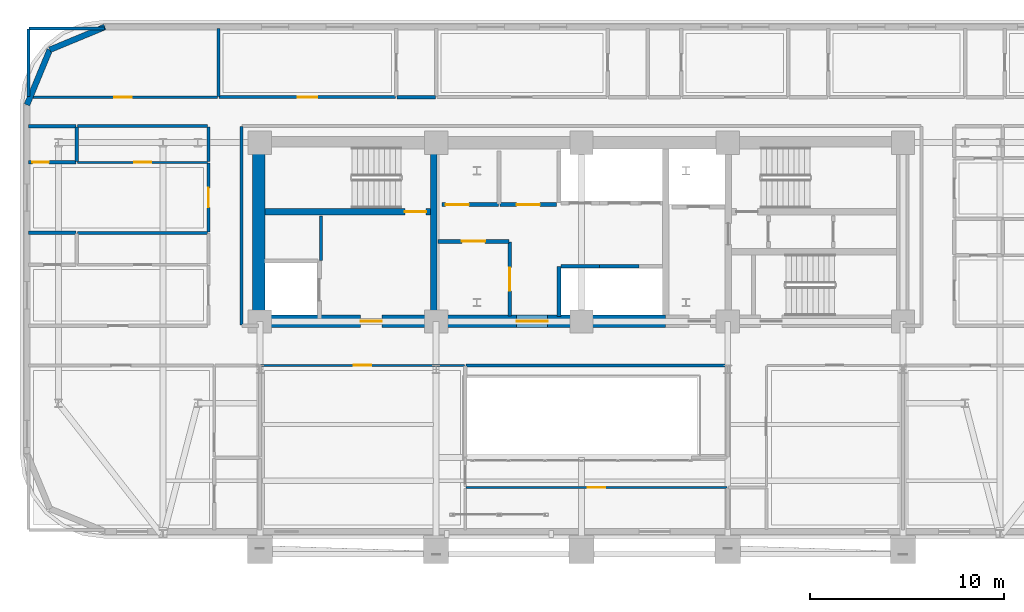
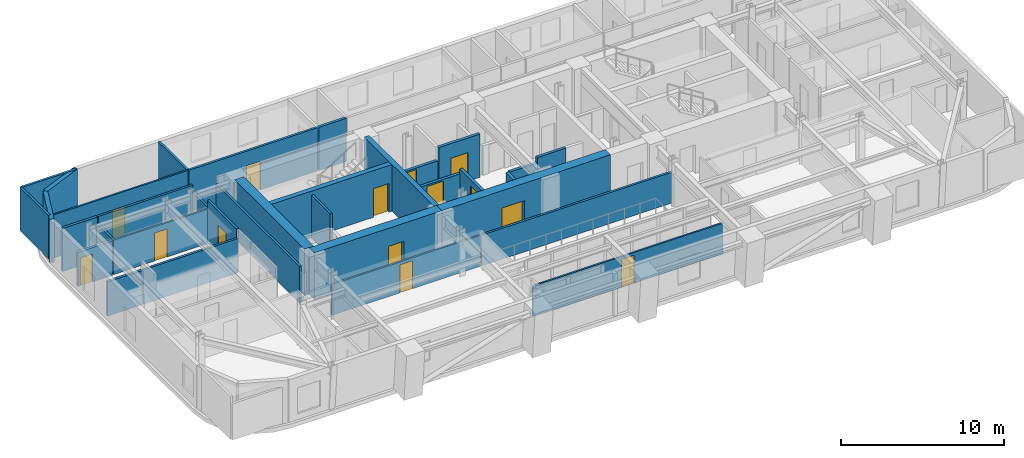
# One storey, part 9 of 15: 34 walls, 14 doors, 14 openings.
"""IFC4 building model written with IfcOpenShell, lengths in metres."""

from ifc_helpers import new_model, si_unit, direction, frame, frame_2d, origin, place, context, subcontext, project, spatial, rectangle, extrude, material, layer, layer_set, type_object, element, fill, save


model = new_model("IFC4")

# Units and contexts
model_context = context("Model", 3, precision=1e-05, world=origin(), true_north=direction((0.0, 1.0)))
body_context = subcontext(model_context, "Body", "Model", "MODEL_VIEW")
ifc_project = project(units=[si_unit("LENGTHUNIT", "METRE"), si_unit("AREAUNIT", "SQUARE_METRE"), si_unit("VOLUMEUNIT", "CUBIC_METRE"), si_unit("PLANEANGLEUNIT", "RADIAN"), si_unit("MASSUNIT", "GRAM", prefix="KILO")], contexts=[model_context])

# Site, building, storey
site_placement = place(None, origin())
site = spatial("IfcSite", under=ifc_project, at=site_placement, CompositionType="ELEMENT")
building_placement = place(site_placement, origin())
building = spatial("IfcBuilding", under=site, at=building_placement, Name="Zarnavel Station Tower", CompositionType="ELEMENT")
storey_placement = place(building_placement, frame((0.0, 0.0, 111.800048828125)))
storey = spatial("IfcBuildingStorey", under=building, at=storey_placement, Name="L30", CompositionType="ELEMENT", Elevation=111.800048828125)

# Wall
ifc_material_1 = material(Name="Concrete C50/60", Category="concrete")
ifc_layer_1 = layer(ifc_material_1, 0.35009765625)
ifc_layer_set_1 = layer_set([ifc_layer_1], Name="CW_350")
wall_type_1 = type_object("IfcWallType", Name="CW_350", PredefinedType="SHEAR", material=ifc_layer_set_1)
wall_1_placement = place(storey_placement, frame((21.179931640625, 28.14501953125, 0.0), z_axis=(0.0, 0.0, 1.0), x_axis=(0.0, 1.0, 0.0)))
element("IfcWall", 1, at=wall_1_placement, inside=storey, type_object=wall_type_1, Name="L30 Rear Core Shear Wall DIV-W", PredefinedType="SHEAR", context=body_context, shape_type="SweptSolid", body=[
    extrude(rectangle(XDim=8.580078125, YDim=0.35009765625, at=frame_2d((4.2900390625, 0.0))), origin(), (0.0, 0.0, 1.0), 3.5),
])

# Wall, opening, door
wall_2_placement = place(storey_placement, frame((21.0048828125, 33.47998046875, 0.0), z_axis=(0.0, 0.0, 1.0), x_axis=(-1.0, 0.0, 0.0)))
wall_2 = element("IfcWall", 2, at=wall_2_placement, inside=storey, type_object=wall_type_1, Name="L30 Rear Core Shear Wall DIV-H1", PredefinedType="SHEAR", context=body_context, shape_type="SweptSolid", body=[
    extrude(rectangle(XDim=8.52978515625, YDim=0.35009765625, at=frame_2d((4.264892578125, 0.0))), origin(), (0.0, 0.0, 1.0), 3.5),
])
opening_1_placement = place(wall_2_placement, frame((0.219970703125, 0.0, 0.0)))
opening_1 = element("IfcOpeningElement", 3, at=opening_1_placement, cuts=wall_2, Name="Opening FD01", PredefinedType="OPENING", context=body_context, shape_type="SweptSolid", body=[
    extrude(rectangle(XDim=1.10009765625, YDim=2.14990234375, at=frame_2d((0.550048828125, 1.074951171875))), frame((0.0, 0.18505859375, 0.0), z_axis=(0.0, -1.0, 0.0), x_axis=(1.0, 0.0, 0.0)), (0.0, 0.0, 1.0), 0.3701171875),
])
ifc_material_2 = material(Name="Painted Galvanised Steel and Hardwood Leaf", Category="steel")
door_type_1 = type_object("IfcDoorType", Name="ID_STAIR_1100", OperationType="NOTDEFINED", PredefinedType="DOOR", material=ifc_material_2)
door_1_placement = place(opening_1_placement, origin())
door_1 = element("IfcDoor", 4, at=door_1_placement, inside=storey, type_object=door_type_1, Name="L30 Stair ST1 Lobby Fire Door", OperationType="SINGLE_SWING_LEFT", OverallHeight=2.14990234375, OverallWidth=1.10009765625, PredefinedType="DOOR", context=body_context, shape_type="SweptSolid", body=[
    extrude(rectangle(XDim=1.10009765625, YDim=2.14990234375, at=frame_2d((0.550048828125, 1.074951171875))), frame((0.0, 0.02490234375, 0.0), z_axis=(0.0, -1.0, 0.0), x_axis=(1.0, 0.0, 0.0)), (0.0, 0.0, 1.0), 0.050048828125),
])
fill(opening_1, door_1)

ifc_material_3 = material(Name="Concrete C60/75", Category="concrete")
ifc_layer_2 = layer(ifc_material_3, 0.64990234375)
ifc_layer_set_2 = layer_set([ifc_layer_2], Name="CW_650")
wall_type_2 = type_object("IfcWallType", Name="CW_650", PredefinedType="SHEAR", material=ifc_layer_set_2)
wall_3_placement = place(storey_placement, frame((21.179931640625, 27.820068359375, 0.0), z_axis=(0.0, 0.0, 1.0), x_axis=(-1.0, 0.0, 0.0)))
wall_3 = element("IfcWall", 5, at=wall_3_placement, inside=storey, type_object=wall_type_2, Name="L30 Rear Core Shear Wall S-W", PredefinedType="SHEAR", context=body_context, shape_type="SweptSolid", body=[
    extrude(rectangle(XDim=9.030029296875, YDim=0.64990234375, at=frame_2d((4.51513671875, 0.0))), origin(), (0.0, 0.0, 1.0), 3.5),
])
opening_2_placement = place(wall_3_placement, frame((2.679931640625, 0.0, 0.0)))
opening_2 = element("IfcOpeningElement", 6, at=opening_2_placement, cuts=wall_3, Name="Opening FD01", PredefinedType="OPENING", context=body_context, shape_type="SweptSolid", body=[
    extrude(rectangle(XDim=1.10009765625, YDim=2.14990234375, at=frame_2d((0.550048828125, 1.074951171875))), frame((0.0, 0.3349609375, 0.0), z_axis=(0.0, -1.0, 0.0), x_axis=(1.0, 0.0, 0.0)), (0.0, 0.0, 1.0), 0.669921875),
])
door_2_placement = place(opening_2_placement, origin())
door_2 = element("IfcDoor", 7, at=door_2_placement, inside=storey, type_object=door_type_1, Name="L30 West Firefighting Lobby Door", OperationType="SINGLE_SWING_RIGHT", OverallHeight=2.14990234375, OverallWidth=1.10009765625, PredefinedType="DOOR", context=body_context, shape_type="SweptSolid", body=[
    extrude(rectangle(XDim=1.10009765625, YDim=2.14990234375, at=frame_2d((0.550048828125, 1.074951171875))), frame((0.0, 0.02490234375, 0.0), z_axis=(0.0, -1.0, 0.0), x_axis=(1.0, 0.0, 0.0)), (0.0, 0.0, 1.0), 0.050048828125),
])
fill(opening_2, door_2)

wall_4_placement = place(storey_placement, frame((33.14990234375, 27.820068359375, 0.0), z_axis=(0.0, 0.0, 1.0), x_axis=(-1.0, 0.0, 0.0)))
wall_4 = element("IfcWall", 8, at=wall_4_placement, inside=storey, type_object=wall_type_2, Name="L30 Rear Core Shear Wall S-M", PredefinedType="SHEAR", context=body_context, shape_type="SweptSolid", body=[
    extrude(rectangle(XDim=11.969970703125, YDim=0.64990234375, at=frame_2d((5.98486328125, 0.0))), origin(), (0.0, 0.0, 1.0), 3.5),
])
opening_3_placement = place(wall_4_placement, frame((6.10009765625, 0.0, 0.0)))
opening_3 = element("IfcOpeningElement", 9, at=opening_3_placement, cuts=wall_4, Name="Opening ID03", PredefinedType="OPENING", context=body_context, shape_type="SweptSolid", body=[
    extrude(rectangle(XDim=1.60009765625, YDim=2.199951171875, at=frame_2d((0.800048828125, 1.10009765625))), frame((0.0, 0.3349609375, 0.0), z_axis=(0.0, -1.0, 0.0), x_axis=(1.0, 0.0, 0.0)), (0.0, 0.0, 1.0), 0.669921875),
])
ifc_material_4 = material(Name="Painted Galvanised Steel and Hardwood Leaf", Category="steel")
door_type_2 = type_object("IfcDoorType", Name="ID_PUBLIC_1600", OperationType="DOUBLE_DOOR_SINGLE_SWING", PredefinedType="DOOR", material=ifc_material_4)
door_3_placement = place(opening_3_placement, origin())
door_3 = element("IfcDoor", 10, at=door_3_placement, inside=storey, type_object=door_type_2, Name="L30 Passenger Lift Lobby Double Door", OperationType="SINGLE_SWING_LEFT", OverallHeight=2.199951171875, OverallWidth=1.60009765625, PredefinedType="DOOR", context=body_context, shape_type="SweptSolid", body=[
    extrude(rectangle(XDim=1.60009765625, YDim=2.199951171875, at=frame_2d((0.800048828125, 1.10009765625))), frame((0.0, 0.02490234375, 0.0), z_axis=(0.0, -1.0, 0.0), x_axis=(1.0, 0.0, 0.0)), (0.0, 0.0, 1.0), 0.050048828125),
])
fill(opening_3, door_3)

# Walls
wall_5_placement = place(storey_placement, frame((12.14990234375, 28.14501953125, 0.0), z_axis=(0.0, 0.0, 1.0), x_axis=(0.0, 1.0, 0.0)))
element("IfcWall", 11, at=wall_5_placement, inside=storey, type_object=wall_type_2, Name="L30 Rear Core Shear Wall W", PredefinedType="SHEAR", context=body_context, shape_type="SweptSolid", body=[
    extrude(rectangle(XDim=8.580078125, YDim=0.64990234375, at=frame_2d((4.2900390625, 0.0))), origin(), (0.0, 0.0, 1.0), 3.5),
])
ifc_material_5 = material(Name="Precast concrete C45/55 (Dark Basalt Finish)", Category="masonry")
ifc_layer_3 = layer(ifc_material_5, 0.300048828125)
ifc_layer_set_3 = layer_set([ifc_layer_3], Name="EW_BASALT_300")
wall_type_3 = type_object("IfcWallType", Name="EW_BASALT_300", PredefinedType="SOLIDWALL", material=ifc_layer_set_3)
for number, where, z_axis, x_axis, name in (
    (12, (1.357421875, 41.842529296875, 0.0), (0.0, 0.0, 1.0), (0.923870793506, 0.382704529509, 0.0), "L30 Exterior Basalt Masonry Frame Wall 07"),
    (13, (0.179931640625, 39.0, 0.0), (0.0, 0.0, 1.0), (0.382704529509, 0.923870793506, 0.0), "L30 Exterior Basalt Masonry Frame Wall 08"),
):
    element("IfcWall", number, at=place(storey_placement, frame(where, z_axis=z_axis, x_axis=x_axis)), inside=storey, type_object=wall_type_3, Name=name, PredefinedType="SOLIDWALL", context=body_context, shape_type="SweptSolid", body=[
        extrude(rectangle(XDim=3.07666015625, YDim=0.300048828125, at=frame_2d((1.538330078125, 0.0))), origin(), (0.0, 0.0, 1.0), 3.239990234375),
    ])

# Wall, opening, door
ifc_material_6 = material(Name="Gypsum Twin-Stud Acoustic Fire Partition", Category="concrete")
ifc_layer_4 = layer(ifc_material_6, 0.159912109375)
ifc_layer_set_4 = layer_set([ifc_layer_4], Name="PT_DEMISE_160")
wall_type_4 = type_object("IfcWallType", Name="PT_DEMISE_160", PredefinedType="PARTITIONING", material=ifc_layer_set_4)
wall_6_placement = place(storey_placement, frame((9.550048828125, 32.430908203125, 0.0), z_axis=(0.0, 0.0, 1.0), x_axis=(0.0, 1.0, 0.0)))
wall_6 = element("IfcWall", 14, at=wall_6_placement, inside=storey, type_object=wall_type_4, Name="L30 Partition COR-W-FNW2R", PredefinedType="PARTITIONING", context=body_context, shape_type="SweptSolid", body=[
    extrude(rectangle(XDim=3.55615234375, YDim=0.159912109375, at=frame_2d((1.778076171875, 0.0))), origin(), (0.0, 0.0, 1.0), 3.239990234375),
])
opening_4_placement = place(wall_6_placement, frame((1.278076171875, 0.0, 0.0)))
opening_4 = element("IfcOpeningElement", 15, at=opening_4_placement, cuts=wall_6, Name="Opening FD02", PredefinedType="OPENING", context=body_context, shape_type="SweptSolid", body=[
    extrude(rectangle(XDim=1.0, YDim=2.14990234375, at=frame_2d((0.5, 1.074951171875))), frame((0.0, 0.08984375, 0.0), z_axis=(0.0, -1.0, 0.0), x_axis=(1.0, 0.0, 0.0)), (0.0, 0.0, 1.0), 0.179931640625),
])
ifc_material_7 = material(Name="Painted Galvanised Steel and Hardwood Leaf", Category="steel")
door_type_3 = type_object("IfcDoorType", Name="ID_ENTRY_1000", OperationType="NOTDEFINED", PredefinedType="DOOR", material=ifc_material_7)
door_4_placement = place(opening_4_placement, origin())
door_4 = element("IfcDoor", 16, at=door_4_placement, inside=storey, type_object=door_type_3, Name="L30 Door COR-W-FNW2R", OperationType="SINGLE_SWING_LEFT", OverallHeight=2.14990234375, OverallWidth=1.0, PredefinedType="DOOR", context=body_context, shape_type="SweptSolid", body=[
    extrude(rectangle(XDim=1.0, YDim=2.14990234375, at=frame_2d((0.5, 1.074951171875))), frame((0.0, 0.02490234375, 0.0), z_axis=(0.0, -1.0, 0.0), x_axis=(1.0, 0.0, 0.0)), (0.0, 0.0, 1.0), 0.050048828125),
])
fill(opening_4, door_4)

# Walls
wall_7_placement = place(storey_placement, frame((9.550048828125, 36.06689453125, 0.0), z_axis=(0.0, 0.0, 1.0), x_axis=(0.0, 1.0, 0.0)))
element("IfcWall", 17, at=wall_7_placement, inside=storey, type_object=wall_type_4, Name="L30 Partition COR-W-FNW2S", PredefinedType="PARTITIONING", context=body_context, shape_type="SweptSolid", body=[
    extrude(rectangle(XDim=1.793212890625, YDim=0.159912109375, at=frame_2d((0.896484375, 0.0))), origin(), (0.0, 0.0, 1.0), 2.719970703125),
])
wall_8_placement = place(storey_placement, frame((2.800048828125, 37.89990234375, 0.0), z_axis=(0.0, 0.0, 1.0), x_axis=(1.0, 0.0, 0.0)))
element("IfcWall", 18, at=wall_8_placement, inside=storey, type_object=wall_type_4, Name="L30 Partition COR-N-FNW2S", PredefinedType="PARTITIONING", context=body_context, shape_type="SweptSolid", body=[
    extrude(rectangle(XDim=6.7099609375, YDim=0.159912109375, at=frame_2d((3.35498046875, 0.0))), origin(), (0.0, 0.0, 1.0), 3.239990234375),
])

# Wall, opening, door
wall_9_placement = place(storey_placement, frame((10.10009765625, 39.39990234375, 0.0), z_axis=(0.0, 0.0, 1.0), x_axis=(1.0, 0.0, 0.0)))
wall_9 = element("IfcWall", 19, at=wall_9_placement, inside=storey, type_object=wall_type_4, Name="L30 Partition COR-N-HN1R", PredefinedType="PARTITIONING", context=body_context, shape_type="SweptSolid", body=[
    extrude(rectangle(XDim=9.10986328125, YDim=0.159912109375, at=frame_2d((4.554931640625, 0.0))), origin(), (0.0, 0.0, 1.0), 3.239990234375),
])
opening_5_placement = place(wall_9_placement, frame((4.054931640625, 0.0, 0.0)))
opening_5 = element("IfcOpeningElement", 20, at=opening_5_placement, cuts=wall_9, Name="Opening FD02", PredefinedType="OPENING", context=body_context, shape_type="SweptSolid", body=[
    extrude(rectangle(XDim=1.0, YDim=2.14990234375, at=frame_2d((0.5, 1.074951171875))), frame((0.0, 0.08984375, 0.0), z_axis=(0.0, -1.0, 0.0), x_axis=(1.0, 0.0, 0.0)), (0.0, 0.0, 1.0), 0.179931640625),
])
door_5_placement = place(opening_5_placement, origin())
door_5 = element("IfcDoor", 21, at=door_5_placement, inside=storey, type_object=door_type_3, Name="L30 Door COR-N-HN1R", OperationType="SINGLE_SWING_LEFT", OverallHeight=2.14990234375, OverallWidth=1.0, PredefinedType="DOOR", context=body_context, shape_type="SweptSolid", body=[
    extrude(rectangle(XDim=1.0, YDim=2.14990234375, at=frame_2d((0.5, 1.074951171875))), frame((0.0, 0.02490234375, 0.0), z_axis=(0.0, -1.0, 0.0), x_axis=(1.0, 0.0, 0.0)), (0.0, 0.0, 1.0), 0.050048828125),
])
fill(opening_5, door_5)

# Walls
wall_10_placement = place(storey_placement, frame((2.800048828125, 32.39111328125, 0.0), z_axis=(0.0, 0.0, 1.0), x_axis=(1.0, 0.0, 0.0)))
element("IfcWall", 22, at=wall_10_placement, inside=storey, type_object=wall_type_4, Name="L30 Partition FNW1S-FNW2R", PredefinedType="PARTITIONING", context=body_context, shape_type="SweptSolid", body=[
    extrude(rectangle(XDim=6.7099609375, YDim=0.159912109375, at=frame_2d((3.35498046875, 0.0))), origin(), (0.0, 0.0, 1.0), 2.570068359375),
])
wall_11_placement = place(storey_placement, frame((10.06005859375, 39.43994140625, 0.0), z_axis=(0.0, 0.0, 1.0), x_axis=(0.0, 1.0, 0.0)))
element("IfcWall", 23, at=wall_11_placement, inside=storey, type_object=wall_type_4, Name="L30 Partition HSKP-HN1R", PredefinedType="PARTITIONING", context=body_context, shape_type="SweptSolid", body=[
    extrude(rectangle(XDim=3.5, YDim=0.159912109375, at=frame_2d((1.75, 0.0))), origin(), (0.0, 0.0, 1.0), 3.239990234375),
])
wall_12_placement = place(storey_placement, frame((15.35009765625, 30.9599609375, 0.0), z_axis=(0.0, 0.0, 1.0), x_axis=(0.0, 1.0, 0.0)))
element("IfcWall", 24, at=wall_12_placement, inside=storey, type_object=wall_type_4, Name="L30 Enclosure Wall FFL1", PredefinedType="PARTITIONING", context=body_context, shape_type="SweptSolid", body=[
    extrude(rectangle(XDim=2.31005859375, YDim=0.159912109375, at=frame_2d((1.155029296875, 0.0))), origin(), (0.0, 0.0, 1.0), 3.239990234375),
])
wall_13_placement = place(storey_placement, frame((22.830078125, 25.550048828125, 0.0), z_axis=(0.0, 0.0, 1.0), x_axis=(1.0, 0.0, 0.0)))
element("IfcWall", 25, at=wall_13_placement, inside=storey, type_object=wall_type_4, Name="L30 Enclosure Wall COR-S", PredefinedType="PARTITIONING", context=body_context, shape_type="SweptSolid", body=[
    extrude(rectangle(XDim=13.489990234375, YDim=0.159912109375, at=frame_2d((6.7451171875, 0.0))), origin(), (0.0, 0.0, 1.0), 2.31005859375),
])
wall_14_placement = place(storey_placement, frame((11.25, 27.6298828125, 0.0), z_axis=(0.0, 0.0, 1.0), x_axis=(0.0, 1.0, 0.0)))
element("IfcWall", 26, at=wall_14_placement, inside=storey, type_object=wall_type_4, Name="L30 Enclosure Wall COR-W", PredefinedType="PARTITIONING", context=body_context, shape_type="SweptSolid", body=[
    extrude(rectangle(XDim=10.240234375, YDim=0.159912109375, at=frame_2d((5.1201171875, 0.0))), origin(), (0.0, 0.0, 1.0), 2.719970703125),
])
wall_15_placement = place(storey_placement, frame((0.2900390625, 42.93994140625, 0.0), z_axis=(0.0, 0.0, 1.0), x_axis=(1.0, 0.0, 0.0)))
element("IfcWall", 27, at=wall_15_placement, inside=storey, type_object=wall_type_4, Name="L30 Enclosure Wall HSKP", PredefinedType="PARTITIONING", context=body_context, shape_type="SweptSolid", body=[
    extrude(rectangle(XDim=3.8798828125, YDim=0.159912109375, at=frame_2d((1.93994140625, 0.0))), origin(), (0.0, 0.0, 1.0), 3.239990234375),
])
wall_16_placement = place(storey_placement, frame((0.260009765625, 39.429931640625, 0.0), z_axis=(0.0, 0.0, 1.0), x_axis=(0.0, 1.0, 0.0)))
element("IfcWall", 28, at=wall_16_placement, inside=storey, type_object=wall_type_4, Name="L30 Enclosure Wall HSKP", PredefinedType="PARTITIONING", context=body_context, shape_type="SweptSolid", body=[
    extrude(rectangle(XDim=3.47998046875, YDim=0.159912109375, at=frame_2d((1.739990234375, 0.0))), origin(), (0.0, 0.0, 1.0), 3.239990234375),
])

# Wall, opening, door
ifc_material_8 = material(Name="Gypsum Metal-Stud Interior Partition", Category="concrete")
ifc_layer_5 = layer(ifc_material_8, 0.1201171875)
ifc_layer_set_5 = layer_set([ifc_layer_5], Name="PT_ROOM_120")
wall_type_5 = type_object("IfcWallType", Name="PT_ROOM_120", PredefinedType="PARTITIONING", material=ifc_layer_set_5)
wall_17_placement = place(storey_placement, frame((12.239990234375, 25.550048828125, 0.0), z_axis=(0.0, 0.0, 1.0), x_axis=(1.0, 0.0, 0.0)))
wall_17 = element("IfcWall", 29, at=wall_17_placement, inside=storey, type_object=wall_type_5, Name="L30 Partition COR-S-L29STD", PredefinedType="PARTITIONING", context=body_context, shape_type="SweptSolid", body=[
    extrude(rectangle(XDim=10.52001953125, YDim=0.1201171875, at=frame_2d((5.260009765625, 0.0))), origin(), (0.0, 0.0, 1.0), 2.31005859375),
])
opening_6_placement = place(wall_17_placement, frame((4.81005859375, 0.0, 0.0)))
opening_6 = element("IfcOpeningElement", 30, at=opening_6_placement, cuts=wall_17, Name="Opening ID01", PredefinedType="OPENING", context=body_context, shape_type="SweptSolid", body=[
    extrude(rectangle(XDim=0.89990234375, YDim=2.10009765625, at=frame_2d((0.449951171875, 1.050048828125))), frame((0.0, 0.070068359375, 0.0), z_axis=(0.0, -1.0, 0.0), x_axis=(1.0, 0.0, 0.0)), (0.0, 0.0, 1.0), 0.14013671875),
])
ifc_material_9 = material(Name="Painted Galvanised Steel and Hardwood Leaf", Category="steel")
door_type_4 = type_object("IfcDoorType", Name="ID_ROOM_900", OperationType="NOTDEFINED", PredefinedType="DOOR", material=ifc_material_9)
door_6_placement = place(opening_6_placement, origin())
door_6 = element("IfcDoor", 31, at=door_6_placement, inside=storey, type_object=door_type_4, Name="L30 Door COR-S-L29STD", OperationType="SINGLE_SWING_RIGHT", OverallHeight=2.10009765625, OverallWidth=0.89990234375, PredefinedType="DOOR", context=body_context, shape_type="SweptSolid", body=[
    extrude(rectangle(XDim=0.89990234375, YDim=2.10009765625, at=frame_2d((0.449951171875, 1.050048828125))), frame((0.0, 0.02490234375, 0.0), z_axis=(0.0, -1.0, 0.0), x_axis=(1.0, 0.0, 0.0)), (0.0, 0.0, 1.0), 0.050048828125),
])
fill(opening_6, door_6)

wall_18_placement = place(storey_placement, frame((0.260009765625, 39.39990234375, 0.0), z_axis=(0.0, 0.0, 1.0), x_axis=(1.0, 0.0, 0.0)))
wall_18 = element("IfcWall", 32, at=wall_18_placement, inside=storey, type_object=wall_type_5, Name="L30 Partition COR-N-HSKP", PredefinedType="PARTITIONING", context=body_context, shape_type="SweptSolid", body=[
    extrude(rectangle(XDim=9.760009765625, YDim=0.1201171875, at=frame_2d((4.8798828125, 0.0))), origin(), (0.0, 0.0, 1.0), 3.239990234375),
])
opening_7_placement = place(wall_18_placement, frame((4.429931640625, 0.0, 0.0)))
opening_7 = element("IfcOpeningElement", 33, at=opening_7_placement, cuts=wall_18, Name="Opening ID01", PredefinedType="OPENING", context=body_context, shape_type="SweptSolid", body=[
    extrude(rectangle(XDim=0.89990234375, YDim=2.10009765625, at=frame_2d((0.449951171875, 1.050048828125))), frame((0.0, 0.070068359375, 0.0), z_axis=(0.0, -1.0, 0.0), x_axis=(1.0, 0.0, 0.0)), (0.0, 0.0, 1.0), 0.14013671875),
])
door_7_placement = place(opening_7_placement, origin())
door_7 = element("IfcDoor", 34, at=door_7_placement, inside=storey, type_object=door_type_4, Name="L30 Door COR-N-HSKP", OperationType="SINGLE_SWING_RIGHT", OverallHeight=2.10009765625, OverallWidth=0.89990234375, PredefinedType="DOOR", context=body_context, shape_type="SweptSolid", body=[
    extrude(rectangle(XDim=0.89990234375, YDim=2.10009765625, at=frame_2d((0.449951171875, 1.050048828125))), frame((0.0, 0.02490234375, 0.0), z_axis=(0.0, -1.0, 0.0), x_axis=(1.0, 0.0, 0.0)), (0.0, 0.0, 1.0), 0.050048828125),
])
fill(opening_7, door_7)

wall_19_placement = place(storey_placement, frame((22.840087890625, 19.25, 0.0), z_axis=(0.0, 0.0, 1.0), x_axis=(1.0, 0.0, 0.0)))
wall_19 = element("IfcWall", 35, at=wall_19_placement, inside=storey, type_object=wall_type_5, Name="L30 Partition COR-AS-L29GYM", PredefinedType="PARTITIONING", context=body_context, shape_type="SweptSolid", body=[
    extrude(rectangle(XDim=13.469970703125, YDim=0.1201171875, at=frame_2d((6.73486328125, 0.0))), origin(), (0.0, 0.0, 1.0), 2.31005859375),
])
opening_8_placement = place(wall_19_placement, frame((6.284912109375, 0.0, 0.0)))
opening_8 = element("IfcOpeningElement", 36, at=opening_8_placement, cuts=wall_19, Name="Opening ID01", PredefinedType="OPENING", context=body_context, shape_type="SweptSolid", body=[
    extrude(rectangle(XDim=0.89990234375, YDim=2.10009765625, at=frame_2d((0.449951171875, 1.050048828125))), frame((0.0, 0.070068359375, 0.0), z_axis=(0.0, -1.0, 0.0), x_axis=(1.0, 0.0, 0.0)), (0.0, 0.0, 1.0), 0.14013671875),
])
door_8_placement = place(opening_8_placement, origin())
door_8 = element("IfcDoor", 37, at=door_8_placement, inside=storey, type_object=door_type_4, Name="L30 Door COR-AS-L29GYM", OperationType="SINGLE_SWING_RIGHT", OverallHeight=2.10009765625, OverallWidth=0.89990234375, PredefinedType="DOOR", context=body_context, shape_type="SweptSolid", body=[
    extrude(rectangle(XDim=0.89990234375, YDim=2.10009765625, at=frame_2d((0.449951171875, 1.050048828125))), frame((0.0, 0.02490234375, 0.0), z_axis=(0.0, -1.0, 0.0), x_axis=(1.0, 0.0, 0.0)), (0.0, 0.0, 1.0), 0.050048828125),
])
fill(opening_8, door_8)

wall_20_placement = place(storey_placement, frame((2.800048828125, 36.027099609375, 0.0), z_axis=(0.0, 0.0, 1.0), x_axis=(1.0, 0.0, 0.0)))
wall_20 = element("IfcWall", 38, at=wall_20_placement, inside=storey, type_object=wall_type_5, Name="L30 Partition FNW2R-FNW2S", PredefinedType="PARTITIONING", context=body_context, shape_type="SweptSolid", body=[
    extrude(rectangle(XDim=6.7099609375, YDim=0.1201171875, at=frame_2d((3.35498046875, 0.0))), origin(), (0.0, 0.0, 1.0), 2.570068359375),
])
opening_9_placement = place(wall_20_placement, frame((2.905029296875, 0.0, 0.0)))
opening_9 = element("IfcOpeningElement", 39, at=opening_9_placement, cuts=wall_20, Name="Opening ID01", PredefinedType="OPENING", context=body_context, shape_type="SweptSolid", body=[
    extrude(rectangle(XDim=0.89990234375, YDim=2.10009765625, at=frame_2d((0.449951171875, 1.050048828125))), frame((0.0, 0.070068359375, 0.0), z_axis=(0.0, -1.0, 0.0), x_axis=(1.0, 0.0, 0.0)), (0.0, 0.0, 1.0), 0.14013671875),
])
door_9_placement = place(opening_9_placement, origin())
door_9 = element("IfcDoor", 40, at=door_9_placement, inside=storey, type_object=door_type_4, Name="L30 Door FNW2R-FNW2S", OperationType="SINGLE_SWING_RIGHT", OverallHeight=2.10009765625, OverallWidth=0.89990234375, PredefinedType="DOOR", context=body_context, shape_type="SweptSolid", body=[
    extrude(rectangle(XDim=0.89990234375, YDim=2.10009765625, at=frame_2d((0.449951171875, 1.050048828125))), frame((0.0, 0.02490234375, 0.0), z_axis=(0.0, -1.0, 0.0), x_axis=(1.0, 0.0, 0.0)), (0.0, 0.0, 1.0), 0.050048828125),
])
fill(opening_9, door_9)

# Walls
ifc_material_10 = material(Name="Precast concrete C45/55 (Fire Shaft Blockwork)", Category="masonry")
ifc_layer_6 = layer(ifc_material_10, 0.199951171875)
ifc_layer_set_6 = layer_set([ifc_layer_6], Name="PT_SHAFT_200")
wall_type_6 = type_object("IfcWallType", Name="PT_SHAFT_200", PredefinedType="PARTITIONING", material=ifc_layer_set_6)
wall_21_placement = place(storey_placement, frame((27.75, 30.669921875, 0.0), z_axis=(0.0, 0.0, 1.0), x_axis=(1.0, 0.0, 0.0)))
element("IfcWall", 41, at=wall_21_placement, inside=storey, type_object=wall_type_6, Name="L30 Lift PL-H1 Shaft Front Wall", PredefinedType="PARTITIONING", context=body_context, shape_type="SweptSolid", body=[
    extrude(rectangle(XDim=1.97509765625, YDim=0.199951171875, at=frame_2d((0.987548828125, 0.0))), origin(), (0.0, 0.0, 1.0), 2.2119140625),
])
wall_22_placement = place(storey_placement, frame((27.64990234375, 28.070068359375, 0.0), z_axis=(0.0, 0.0, 1.0), x_axis=(0.0, 1.0, 0.0)))
element("IfcWall", 42, at=wall_22_placement, inside=storey, type_object=wall_type_6, Name="L30 High-Rise Lift Bank West Shaft Wall", PredefinedType="PARTITIONING", context=body_context, shape_type="SweptSolid", body=[
    extrude(rectangle(XDim=2.579833984375, YDim=0.199951171875, at=frame_2d((1.2900390625, 0.0))), origin(), (0.0, 0.0, 1.0), 2.2119140625),
])
wall_23_placement = place(storey_placement, frame((29.72509765625, 30.669921875, 0.0), z_axis=(0.0, 0.0, 1.0), x_axis=(1.0, 0.0, 0.0)))
element("IfcWall", 43, at=wall_23_placement, inside=storey, type_object=wall_type_6, Name="L30 Lift PL-H2 Shaft Front Wall", PredefinedType="PARTITIONING", context=body_context, shape_type="SweptSolid", body=[
    extrude(rectangle(XDim=2.0498046875, YDim=0.199951171875, at=frame_2d((1.02490234375, 0.0))), origin(), (0.0, 0.0, 1.0), 2.619873046875),
])

# Wall, opening, door
wall_24_placement = place(storey_placement, frame((21.39990234375, 31.949951171875, 0.0), z_axis=(0.0, 0.0, 1.0), x_axis=(1.0, 0.0, 0.0)))
wall_24 = element("IfcWall", 44, at=wall_24_placement, inside=storey, type_object=wall_type_6, Name="L30 Partition LLOB-CS1", PredefinedType="PARTITIONING", context=body_context, shape_type="SweptSolid", body=[
    extrude(rectangle(XDim=3.66015625, YDim=0.199951171875, at=frame_2d((1.830078125, 0.0))), origin(), (0.0, 0.0, 1.0), 2.280029296875),
])
opening_10_placement = place(wall_24_placement, frame((1.22998046875, 0.0, 0.0)))
opening_10 = element("IfcOpeningElement", 45, at=opening_10_placement, cuts=wall_24, Name="Opening FD03", PredefinedType="OPENING", context=body_context, shape_type="SweptSolid", body=[
    extrude(rectangle(XDim=1.199951171875, YDim=2.14990234375, at=frame_2d((0.60009765625, 1.074951171875))), frame((0.0, 0.10986328125, 0.0), z_axis=(0.0, -1.0, 0.0), x_axis=(1.0, 0.0, 0.0)), (0.0, 0.0, 1.0), 0.219970703125),
])
ifc_material_11 = material(Name="Painted Galvanised Steel and Hardwood Leaf", Category="steel")
door_type_5 = type_object("IfcDoorType", Name="ID_PLANT_1200", OperationType="NOTDEFINED", PredefinedType="DOOR", material=ifc_material_11)
door_10_placement = place(opening_10_placement, origin())
door_10 = element("IfcDoor", 46, at=door_10_placement, inside=storey, type_object=door_type_5, Name="L30 Door LLOB-CS1", OperationType="SINGLE_SWING_LEFT", OverallHeight=2.14990234375, OverallWidth=1.199951171875, PredefinedType="DOOR", context=body_context, shape_type="SweptSolid", body=[
    extrude(rectangle(XDim=1.199951171875, YDim=2.14990234375, at=frame_2d((0.60009765625, 1.074951171875))), frame((0.0, 0.02490234375, 0.0), z_axis=(0.0, -1.0, 0.0), x_axis=(1.0, 0.0, 0.0)), (0.0, 0.0, 1.0), 0.050048828125),
])
fill(opening_10, door_10)

wall_25_placement = place(storey_placement, frame((21.590087890625, 33.85009765625, 0.0), z_axis=(0.0, 0.0, 1.0), x_axis=(1.0, 0.0, 0.0)))
wall_25 = element("IfcWall", 47, at=wall_25_placement, inside=storey, type_object=wall_type_6, Name="L30 Partition LLOB-FB1A", PredefinedType="PARTITIONING", context=body_context, shape_type="SweptSolid", body=[
    extrude(rectangle(XDim=2.919921875, YDim=0.199951171875, at=frame_2d((1.4599609375, 0.0))), origin(), (0.0, 0.0, 1.0), 2.280029296875),
])
opening_11_placement = place(wall_25_placement, frame((0.199951171875, 0.0, 0.0)))
opening_11 = element("IfcOpeningElement", 48, at=opening_11_placement, cuts=wall_25, Name="Opening FD03", PredefinedType="OPENING", context=body_context, shape_type="SweptSolid", body=[
    extrude(rectangle(XDim=1.199951171875, YDim=2.14990234375, at=frame_2d((0.60009765625, 1.074951171875))), frame((0.0, 0.10986328125, 0.0), z_axis=(0.0, -1.0, 0.0), x_axis=(1.0, 0.0, 0.0)), (0.0, 0.0, 1.0), 0.219970703125),
])
door_11_placement = place(opening_11_placement, origin())
door_11 = element("IfcDoor", 49, at=door_11_placement, inside=storey, type_object=door_type_5, Name="L30 Door LLOB-FB1A", OperationType="SINGLE_SWING_LEFT", OverallHeight=2.14990234375, OverallWidth=1.199951171875, PredefinedType="DOOR", context=body_context, shape_type="SweptSolid", body=[
    extrude(rectangle(XDim=1.199951171875, YDim=2.14990234375, at=frame_2d((0.60009765625, 1.074951171875))), frame((0.0, 0.02490234375, 0.0), z_axis=(0.0, -1.0, 0.0), x_axis=(1.0, 0.0, 0.0)), (0.0, 0.0, 1.0), 0.050048828125),
])
fill(opening_11, door_11)

wall_26_placement = place(storey_placement, frame((24.590087890625, 33.85009765625, 0.0), z_axis=(0.0, 0.0, 1.0), x_axis=(1.0, 0.0, 0.0)))
wall_26 = element("IfcWall", 50, at=wall_26_placement, inside=storey, type_object=wall_type_6, Name="L30 Partition LLOB-FB1B", PredefinedType="PARTITIONING", context=body_context, shape_type="SweptSolid", body=[
    extrude(rectangle(XDim=2.919921875, YDim=0.199951171875, at=frame_2d((1.4599609375, 0.0))), origin(), (0.0, 0.0, 1.0), 3.239990234375),
])
opening_12_placement = place(wall_26_placement, frame((0.860107421875, 0.0, 0.0)))
opening_12 = element("IfcOpeningElement", 51, at=opening_12_placement, cuts=wall_26, Name="Opening FD03", PredefinedType="OPENING", context=body_context, shape_type="SweptSolid", body=[
    extrude(rectangle(XDim=1.199951171875, YDim=2.14990234375, at=frame_2d((0.60009765625, 1.074951171875))), frame((0.0, 0.10986328125, 0.0), z_axis=(0.0, -1.0, 0.0), x_axis=(1.0, 0.0, 0.0)), (0.0, 0.0, 1.0), 0.219970703125),
])
door_12_placement = place(opening_12_placement, origin())
door_12 = element("IfcDoor", 52, at=door_12_placement, inside=storey, type_object=door_type_5, Name="L30 Door LLOB-FB1B", OperationType="SINGLE_SWING_LEFT", OverallHeight=2.14990234375, OverallWidth=1.199951171875, PredefinedType="DOOR", context=body_context, shape_type="SweptSolid", body=[
    extrude(rectangle(XDim=1.199951171875, YDim=2.14990234375, at=frame_2d((0.60009765625, 1.074951171875))), frame((0.0, 0.02490234375, 0.0), z_axis=(0.0, -1.0, 0.0), x_axis=(1.0, 0.0, 0.0)), (0.0, 0.0, 1.0), 0.050048828125),
])
fill(opening_12, door_12)

wall_27_placement = place(storey_placement, frame((25.10009765625, 28.090087890625, 0.0), z_axis=(0.0, 0.0, 1.0), x_axis=(0.0, 1.0, 0.0)))
wall_27 = element("IfcWall", 53, at=wall_27_placement, inside=storey, type_object=wall_type_6, Name="L30 Partition LLOBS-CS1", PredefinedType="PARTITIONING", context=body_context, shape_type="SweptSolid", body=[
    extrude(rectangle(XDim=3.81982421875, YDim=0.199951171875, at=frame_2d((1.909912109375, 0.0))), origin(), (0.0, 0.0, 1.0), 2.619873046875),
])
opening_13_placement = place(wall_27_placement, frame((1.31005859375, 0.0, 0.0)))
opening_13 = element("IfcOpeningElement", 54, at=opening_13_placement, cuts=wall_27, Name="Opening FD03", PredefinedType="OPENING", context=body_context, shape_type="SweptSolid", body=[
    extrude(rectangle(XDim=1.199951171875, YDim=2.14990234375, at=frame_2d((0.60009765625, 1.074951171875))), frame((0.0, 0.10986328125, 0.0), z_axis=(0.0, -1.0, 0.0), x_axis=(1.0, 0.0, 0.0)), (0.0, 0.0, 1.0), 0.219970703125),
])
door_13_placement = place(opening_13_placement, origin())
door_13 = element("IfcDoor", 55, at=door_13_placement, inside=storey, type_object=door_type_5, Name="L30 Door LLOBS-CS1", OperationType="SINGLE_SWING_RIGHT", OverallHeight=2.14990234375, OverallWidth=1.199951171875, PredefinedType="DOOR", context=body_context, shape_type="SweptSolid", body=[
    extrude(rectangle(XDim=1.199951171875, YDim=2.14990234375, at=frame_2d((0.60009765625, 1.074951171875))), frame((0.0, 0.02490234375, 0.0), z_axis=(0.0, -1.0, 0.0), x_axis=(1.0, 0.0, 0.0)), (0.0, 0.0, 1.0), 0.050048828125),
])
fill(opening_13, door_13)

# Walls
ifc_material_12 = material(Name="Moisture-Resistant Plumbing Chase Wall", Category="concrete")
ifc_layer_7 = layer(ifc_material_12, 0.179931640625)
ifc_layer_set_7 = layer_set([ifc_layer_7], Name="PW_PLUMB_180")
wall_type_7 = type_object("IfcWallType", Name="PW_PLUMB_180", PredefinedType="PLUMBINGWALL", material=ifc_layer_set_7)
wall_28_placement = place(storey_placement, frame((0.260009765625, 37.89990234375, 0.0), z_axis=(0.0, 0.0, 1.0), x_axis=(1.0, 0.0, 0.0)))
element("IfcWall", 56, at=wall_28_placement, inside=storey, type_object=wall_type_7, Name="L30 Partition COR-N-FNW2B", PredefinedType="PLUMBINGWALL", context=body_context, shape_type="SweptSolid", body=[
    extrude(rectangle(XDim=2.4599609375, YDim=0.179931640625, at=frame_2d((1.22998046875, 0.0))), origin(), (0.0, 0.0, 1.0), 3.239990234375),
])
wall_29_placement = place(storey_placement, frame((19.2900390625, 39.39990234375, 0.0), z_axis=(0.0, 0.0, 1.0), x_axis=(1.0, 0.0, 0.0)))
element("IfcWall", 57, at=wall_29_placement, inside=storey, type_object=wall_type_7, Name="L30 Partition COR-N-HN1B", PredefinedType="PLUMBINGWALL", context=body_context, shape_type="SweptSolid", body=[
    extrude(rectangle(XDim=1.969970703125, YDim=0.179931640625, at=frame_2d((0.98486328125, 0.0))), origin(), (0.0, 0.0, 1.0), 3.239990234375),
])
wall_30_placement = place(storey_placement, frame((0.260009765625, 32.39111328125, 0.0), z_axis=(0.0, 0.0, 1.0), x_axis=(1.0, 0.0, 0.0)))
element("IfcWall", 58, at=wall_30_placement, inside=storey, type_object=wall_type_7, Name="L30 Partition FNW1B-FNW2R", PredefinedType="PLUMBINGWALL", context=body_context, shape_type="SweptSolid", body=[
    extrude(rectangle(XDim=2.4599609375, YDim=0.179931640625, at=frame_2d((1.22998046875, 0.0))), origin(), (0.0, 0.0, 1.0), 2.570068359375),
])

# Wall, opening, door
wall_31_placement = place(storey_placement, frame((0.260009765625, 36.027099609375, 0.0), z_axis=(0.0, 0.0, 1.0), x_axis=(1.0, 0.0, 0.0)))
wall_31 = element("IfcWall", 59, at=wall_31_placement, inside=storey, type_object=wall_type_7, Name="L30 Partition FNW2R-FNW2B", PredefinedType="PLUMBINGWALL", context=body_context, shape_type="SweptSolid", body=[
    extrude(rectangle(XDim=2.4599609375, YDim=0.179931640625, at=frame_2d((1.22998046875, 0.0))), origin(), (0.0, 0.0, 1.0), 2.570068359375),
])
opening_14_placement = place(wall_31_placement, frame((0.1953125, 0.0, 0.0)))
opening_14 = element("IfcOpeningElement", 60, at=opening_14_placement, cuts=wall_31, Name="Opening ID02", PredefinedType="OPENING", context=body_context, shape_type="SweptSolid", body=[
    extrude(rectangle(XDim=0.85009765625, YDim=2.10009765625, at=frame_2d((0.425048828125, 1.050048828125))), frame((0.0, 0.099853515625, 0.0), z_axis=(0.0, -1.0, 0.0), x_axis=(1.0, 0.0, 0.0)), (0.0, 0.0, 1.0), 0.199951171875),
])
ifc_material_13 = material(Name="Painted Galvanised Steel and Hardwood Leaf", Category="steel")
door_type_6 = type_object("IfcDoorType", Name="ID_BATH_850", OperationType="NOTDEFINED", PredefinedType="DOOR", material=ifc_material_13)
door_14_placement = place(opening_14_placement, origin())
door_14 = element("IfcDoor", 61, at=door_14_placement, inside=storey, type_object=door_type_6, Name="L30 Door FNW2R-FNW2B", OperationType="SINGLE_SWING_LEFT", OverallHeight=2.10009765625, OverallWidth=0.85009765625, PredefinedType="DOOR", context=body_context, shape_type="SweptSolid", body=[
    extrude(rectangle(XDim=0.85009765625, YDim=2.10009765625, at=frame_2d((0.425048828125, 1.050048828125))), frame((0.0, 0.02490234375, 0.0), z_axis=(0.0, -1.0, 0.0), x_axis=(1.0, 0.0, 0.0)), (0.0, 0.0, 1.0), 0.050048828125),
])
fill(opening_14, door_14)

# Wall
wall_32_placement = place(storey_placement, frame((2.760009765625, 36.06689453125, 0.0), z_axis=(0.0, 0.0, 1.0), x_axis=(0.0, 1.0, 0.0)))
element("IfcWall", 62, at=wall_32_placement, inside=storey, type_object=wall_type_7, Name="L30 Partition FNW2B-FNW2S", PredefinedType="PLUMBINGWALL", context=body_context, shape_type="SweptSolid", body=[
    extrude(rectangle(XDim=1.793212890625, YDim=0.179931640625, at=frame_2d((0.896484375, 0.0))), origin(), (0.0, 0.0, 1.0), 2.719970703125),
])

save(model, "model.ifc")
